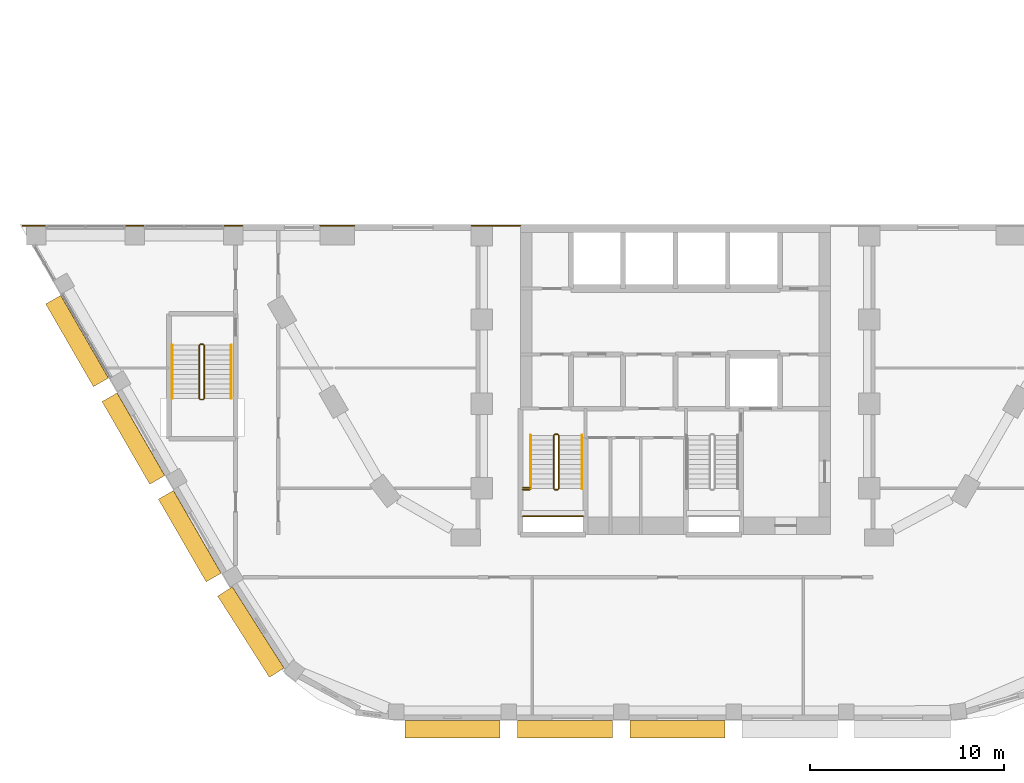
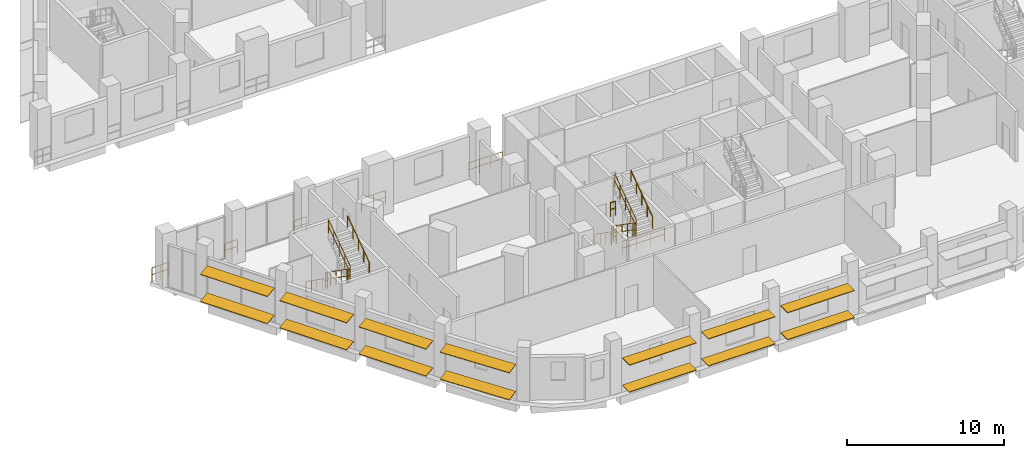
# One storey, part 18 of 22: 20 railings, 14 shading devices.
"""IFC4 building model written with IfcOpenShell, lengths in metres."""

from ifc_helpers import new_model, si_unit, direction, frame, origin, origin_2d, place, context, subcontext, project, spatial, rectangle, circle, extrude, material, material_profile, profile_set, type_object, element, save


model = new_model("IFC4")

# Units and contexts
model_context = context("Model", 3, precision=1e-05, world=origin(), true_north=direction((0.0, 1.0)))
body_context = subcontext(model_context, "Body", "Model", "MODEL_VIEW")
ifc_project = project(units=[si_unit("LENGTHUNIT", "METRE"), si_unit("AREAUNIT", "SQUARE_METRE"), si_unit("VOLUMEUNIT", "CUBIC_METRE"), si_unit("PLANEANGLEUNIT", "RADIAN"), si_unit("MASSUNIT", "GRAM", prefix="KILO")], contexts=[model_context])

# Site, building, storey
site_placement = place(None, origin())
site = spatial("IfcSite", under=ifc_project, at=site_placement, CompositionType="ELEMENT")
building_placement = place(site_placement, origin())
building = spatial("IfcBuilding", under=site, at=building_placement, Name="Nakaniwa Court", CompositionType="ELEMENT")
storey_placement = place(building_placement, frame((0.0, 0.0, 24.0)))
storey = spatial("IfcBuildingStorey", under=building, at=storey_placement, Name="L05", CompositionType="ELEMENT", Elevation=24.0)

# Shading devices
ifc_material_1 = material(Name="Perforated charcoal ceramic louvre blade")
ifc_material_profile = material_profile(ifc_material_1, rectangle(XDim=0.89990234375, YDim=0.050048828125, at=origin_2d()), Name="Perforated ceramic louvre blade")
ifc_profile_set = profile_set([ifc_material_profile], Name="Perforated charcoal ceramic louvre blade")
shading_device_type = type_object("IfcShadingDeviceType", Name="Perforated ceramic louvre blade", PredefinedType="JALOUSIE", material=ifc_profile_set)
for number, where, z_axis, x_axis, name in (
    (1, (47.884765625, 68.726318359375, 0.550048828125), (0.499988503985, -0.86603204091, 0.0), (0.858623016745, 0.495711033022, 0.13052619222), "L05 perforated ceramic louvre blade w13 1"),
    (2, (47.884765625, 68.726318359375, 2.64990234375), (0.499988503985, -0.86603204091, 0.0), (0.858623016745, 0.495711033022, 0.13052619222), "L05 perforated ceramic louvre blade w13 2"),
    (3, (50.793212890625, 63.68896484375, 0.550048828125), (0.499988503985, -0.86603204091, 0.0), (0.858623016745, 0.495711033022, 0.13052619222), "L05 perforated ceramic louvre blade w14 1"),
    (4, (50.793212890625, 63.68896484375, 2.64990234375), (0.499988503985, -0.86603204091, 0.0), (0.858623016745, 0.495711033022, 0.13052619222), "L05 perforated ceramic louvre blade w14 2"),
    (5, (53.701416015625, 58.651611328125, 0.550048828125), (0.499988503985, -0.86603204091, 0.0), (0.858623016745, 0.495711033022, 0.13052619222), "L05 perforated ceramic louvre blade w15 1"),
    (6, (53.701416015625, 58.651611328125, 2.64990234375), (0.499988503985, -0.86603204091, 0.0), (0.858623016745, 0.495711033022, 0.13052619222), "L05 perforated ceramic louvre blade w15 2"),
):
    element("IfcShadingDevice", number, at=place(storey_placement, frame(where, z_axis=z_axis, x_axis=x_axis)), inside=storey, type_object=shading_device_type, Name=name, PredefinedType="JALOUSIE", context=body_context, shape_type="SweptSolid", body=[
        extrude(rectangle(XDim=0.89990234375, YDim=0.050048828125, at=origin_2d()), origin(), (0.0, 0.0, 1.0), 4.9248046875),
    ])
for number, where, z_axis, x_axis, name in (
    (7, (56.75048828125, 53.664794921875, 0.550048828125), (0.537237750098, -0.843430850675, 0.0), (0.837322169417, 0.533346720771, 0.120136838835), "L05 perforated ceramic louvre blade w16 1"),
    (8, (56.75048828125, 53.664794921875, 2.64990234375), (0.537237750098, -0.843430850675, 0.0), (0.837322169417, 0.533346720771, 0.120136838835), "L05 perforated ceramic louvre blade w16 2"),
):
    element("IfcShadingDevice", number, at=place(storey_placement, frame(where, z_axis=z_axis, x_axis=x_axis)), inside=storey, type_object=shading_device_type, Name=name, PredefinedType="JALOUSIE", context=body_context, shape_type="SweptSolid", body=[
        extrude(rectangle(XDim=0.89990234375, YDim=0.050048828125, at=origin_2d()), origin(), (0.0, 0.0, 1.0), 4.970703125),
    ])
for number, where, z_axis, x_axis, name in (
    (9, (66.041748046875, 46.550048828125, 0.550048828125), (1.0, 0.0, 0.0), (0.0, 1.0, 0.0), "L05 perforated ceramic louvre blade w19 1"),
    (10, (66.041748046875, 46.550048828125, 2.64990234375), (1.0, 0.0, 0.0), (0.0, 1.0, 0.0), "L05 perforated ceramic louvre blade w19 2"),
):
    element("IfcShadingDevice", number, at=place(storey_placement, frame(where, z_axis=z_axis, x_axis=x_axis)), inside=storey, type_object=shading_device_type, Name=name, PredefinedType="JALOUSIE", context=body_context, shape_type="SweptSolid", body=[
        extrude(rectangle(XDim=0.89990234375, YDim=0.050048828125, at=origin_2d()), origin(), (0.0, 0.0, 1.0), 4.91015625),
    ])
for number, where, z_axis, x_axis, name in (
    (11, (71.843994140625, 46.550048828125, 0.550048828125), (1.0, 0.0, 0.0), (0.0, 1.0, 0.0), "L05 perforated ceramic louvre blade w20 1"),
    (12, (71.843994140625, 46.550048828125, 2.64990234375), (1.0, 0.0, 0.0), (0.0, 1.0, 0.0), "L05 perforated ceramic louvre blade w20 2"),
):
    element("IfcShadingDevice", number, at=place(storey_placement, frame(where, z_axis=z_axis, x_axis=x_axis)), inside=storey, type_object=shading_device_type, Name=name, PredefinedType="JALOUSIE", context=body_context, shape_type="SweptSolid", body=[
        extrude(rectangle(XDim=0.89990234375, YDim=0.050048828125, at=origin_2d()), origin(), (0.0, 0.0, 1.0), 4.910400390625),
    ])
for number, where, z_axis, x_axis, name in (
    (13, (77.646240234375, 46.550048828125, 0.550048828125), (1.0, 0.0, 0.0), (0.0, 1.0, 0.0), "L05 perforated ceramic louvre blade w21 1"),
    (14, (77.646240234375, 46.550048828125, 2.64990234375), (1.0, 0.0, 0.0), (0.0, 1.0, 0.0), "L05 perforated ceramic louvre blade w21 2"),
):
    element("IfcShadingDevice", number, at=place(storey_placement, frame(where, z_axis=z_axis, x_axis=x_axis)), inside=storey, type_object=shading_device_type, Name=name, PredefinedType="JALOUSIE", context=body_context, shape_type="SweptSolid", body=[
        extrude(rectangle(XDim=0.89990234375, YDim=0.050048828125, at=origin_2d()), origin(), (0.0, 0.0, 1.0), 4.91015625),
    ])

# Railings
ifc_material_2 = material(Name="Black powder coated steel guard", Category="steel")
railing_type_1 = type_object("IfcRailingType", Name="Stair guard 1100", PredefinedType="GUARDRAIL", material=ifc_material_2)
railing_1_placement = place(storey_placement, frame((73.72509765625, 61.72509765625, 0.175048828125)))
element("IfcRailing", 15, at=railing_1_placement, inside=storey, type_object=railing_type_1, Name="L05 ST3 stair guard 1", PredefinedType="GUARDRAIL", context=body_context, shape_type="SweptSolid", body=[
    extrude(circle(Radius=0.02392578125, at=origin_2d()), frame((0.0, 0.0, 1.076171875), z_axis=(0.0, -0.819225086817, 0.573472106672), x_axis=(1.0, 0.0, 0.0)), (0.0, 0.0, 1.0), 3.35693359375),
    extrude(circle(Radius=0.02392578125, at=origin_2d()), frame((0.0, 0.0, 0.550048828125), z_axis=(0.0, -0.819225086817, 0.573472106672), x_axis=(1.0, 0.0, 0.0)), (0.0, 0.0, 1.0), 3.35693359375),
    extrude(circle(Radius=0.02099609375, at=origin_2d()), origin(), (0.0, 0.0, 1.0), 1.052001953125),
    extrude(circle(Radius=0.02099609375, at=origin_2d()), frame((0.0, -0.6875, 0.481201171875)), (0.0, 0.0, 1.0), 1.052001953125),
    extrude(circle(Radius=0.02099609375, at=origin_2d()), frame((0.0, -1.375, 0.96240234375)), (0.0, 0.0, 1.0), 1.052001953125),
    extrude(circle(Radius=0.02099609375, at=origin_2d()), frame((0.0, -2.0625, 1.44384765625)), (0.0, 0.0, 1.0), 1.052001953125),
    extrude(circle(Radius=0.02099609375, at=origin_2d()), frame((0.0, -2.75, 1.925048828125)), (0.0, 0.0, 1.0), 1.052001953125),
])
railing_2_placement = place(storey_placement, frame((73.77490234375, 58.925048828125, 2.10009765625)))
element("IfcRailing", 16, at=railing_2_placement, inside=storey, type_object=railing_type_1, Name="L05 ST3 stair guard 2", PredefinedType="GUARDRAIL", context=body_context, shape_type="SweptSolid", body=[
    extrude(circle(Radius=0.02392578125, at=origin_2d()), frame((0.0, 0.0, 1.076171875), z_axis=(1.0, 0.0, 0.0), x_axis=(0.0, 1.0, 0.0)), (0.0, 0.0, 1.0), 0.150146484375),
    extrude(circle(Radius=0.02392578125, at=origin_2d()), frame((0.0, 0.0, 0.550048828125), z_axis=(1.0, 0.0, 0.0), x_axis=(0.0, 1.0, 0.0)), (0.0, 0.0, 1.0), 0.150146484375),
    extrude(circle(Radius=0.02099609375, at=origin_2d()), origin(), (0.0, 0.0, 1.0), 1.052001953125),
    extrude(circle(Radius=0.02099609375, at=origin_2d()), frame((0.150146484375, 0.0, 0.0)), (0.0, 0.0, 1.0), 1.052001953125),
])
railing_3_placement = place(storey_placement, frame((73.97509765625, 58.97509765625, 2.27490234375)))
element("IfcRailing", 17, at=railing_3_placement, inside=storey, type_object=railing_type_1, Name="L05 ST3 stair guard 3", PredefinedType="GUARDRAIL", context=body_context, shape_type="SweptSolid", body=[
    extrude(circle(Radius=0.02392578125, at=origin_2d()), frame((0.0, 0.0, 1.076171875), z_axis=(0.0, 0.819225086817, 0.573472106672), x_axis=(-1.0, 0.0, 0.0)), (0.0, 0.0, 1.0), 3.35693359375),
    extrude(circle(Radius=0.02392578125, at=origin_2d()), frame((0.0, 0.0, 0.550048828125), z_axis=(0.0, 0.819225086817, 0.573472106672), x_axis=(-1.0, 0.0, 0.0)), (0.0, 0.0, 1.0), 3.35693359375),
    extrude(circle(Radius=0.02099609375, at=origin_2d()), origin(), (0.0, 0.0, 1.0), 1.052001953125),
    extrude(circle(Radius=0.02099609375, at=origin_2d()), frame((0.0, 0.6875, 0.481201171875)), (0.0, 0.0, 1.0), 1.052001953125),
    extrude(circle(Radius=0.02099609375, at=origin_2d()), frame((0.0, 1.375, 0.96240234375)), (0.0, 0.0, 1.0), 1.052001953125),
    extrude(circle(Radius=0.02099609375, at=origin_2d()), frame((0.0, 2.0625, 1.44384765625)), (0.0, 0.0, 1.0), 1.052001953125),
    extrude(circle(Radius=0.02099609375, at=origin_2d()), frame((0.0, 2.75, 1.925048828125)), (0.0, 0.0, 1.0), 1.052001953125),
])
railing_4_placement = place(storey_placement, frame((73.77490234375, 61.77490234375, 0.0)))
element("IfcRailing", 18, at=railing_4_placement, inside=storey, type_object=railing_type_1, Name="L05 ST3 stair guard 4", PredefinedType="GUARDRAIL", context=body_context, shape_type="SweptSolid", body=[
    extrude(circle(Radius=0.02392578125, at=origin_2d()), frame((0.0, 0.0, 1.076171875), z_axis=(1.0, 0.0, 0.0), x_axis=(0.0, 1.0, 0.0)), (0.0, 0.0, 1.0), 0.150146484375),
    extrude(circle(Radius=0.02392578125, at=origin_2d()), frame((0.0, 0.0, 0.550048828125), z_axis=(1.0, 0.0, 0.0), x_axis=(0.0, 1.0, 0.0)), (0.0, 0.0, 1.0), 0.150146484375),
    extrude(circle(Radius=0.02099609375, at=origin_2d()), origin(), (0.0, 0.0, 1.0), 1.052001953125),
    extrude(circle(Radius=0.02099609375, at=origin_2d()), frame((0.150146484375, 0.0, 0.0)), (0.0, 0.0, 1.0), 1.052001953125),
])
railing_5_placement = place(storey_placement, frame((72.125, 57.550048828125, 2.10009765625)))
element("IfcRailing", 19, at=railing_5_placement, inside=storey, type_object=railing_type_1, Name="L05 ST3 landing end guard 1", PredefinedType="GUARDRAIL", context=body_context, shape_type="SweptSolid", body=[
    extrude(circle(Radius=0.02392578125, at=origin_2d()), frame((0.0, 0.0, 1.076171875), z_axis=(1.0, 0.0, 0.0), x_axis=(0.0, 1.0, 0.0)), (0.0, 0.0, 1.0), 3.10009765625),
    extrude(circle(Radius=0.02392578125, at=origin_2d()), frame((0.0, 0.0, 0.550048828125), z_axis=(1.0, 0.0, 0.0), x_axis=(0.0, 1.0, 0.0)), (0.0, 0.0, 1.0), 3.10009765625),
    extrude(circle(Radius=0.02099609375, at=origin_2d()), origin(), (0.0, 0.0, 1.0), 1.052001953125),
    extrude(circle(Radius=0.02099609375, at=origin_2d()), frame((1.033447265625, 0.0, 0.0)), (0.0, 0.0, 1.0), 1.052001953125),
    extrude(circle(Radius=0.02099609375, at=origin_2d()), frame((2.066650390625, 0.0, 0.0)), (0.0, 0.0, 1.0), 1.052001953125),
    extrude(circle(Radius=0.02099609375, at=origin_2d()), frame((3.10009765625, 0.0, 0.0)), (0.0, 0.0, 1.0), 1.052001953125),
])
for number, where, name in (
    (20, (72.125, 58.925048828125, 2.10009765625), "L05 ST3 landing side guard 1W"),
    (21, (72.125, 59.02490234375, 4.199951171875), "L05 ST3 floor edge guard 1W"),
):
    element("IfcRailing", number, at=place(storey_placement, frame(where)), inside=storey, type_object=railing_type_1, Name=name, PredefinedType="GUARDRAIL", context=body_context, shape_type="SweptSolid", body=[
        extrude(circle(Radius=0.02392578125, at=origin_2d()), frame((0.0, 0.0, 1.076171875), z_axis=(1.0, 0.0, 0.0), x_axis=(0.0, 1.0, 0.0)), (0.0, 0.0, 1.0), 0.35009765625),
        extrude(circle(Radius=0.02392578125, at=origin_2d()), frame((0.0, 0.0, 0.550048828125), z_axis=(1.0, 0.0, 0.0), x_axis=(0.0, 1.0, 0.0)), (0.0, 0.0, 1.0), 0.35009765625),
        extrude(circle(Radius=0.02099609375, at=origin_2d()), origin(), (0.0, 0.0, 1.0), 1.052001953125),
        extrude(circle(Radius=0.02099609375, at=origin_2d()), frame((0.35009765625, 0.0, 0.0)), (0.0, 0.0, 1.0), 1.052001953125),
    ])
railing_6_placement = place(storey_placement, frame((55.425048828125, 66.375, 0.175048828125)))
element("IfcRailing", 22, at=railing_6_placement, inside=storey, type_object=railing_type_1, Name="L05 SS4 stair guard 1", PredefinedType="GUARDRAIL", context=body_context, shape_type="SweptSolid", body=[
    extrude(circle(Radius=0.02392578125, at=origin_2d()), frame((0.0, 0.0, 1.076171875), z_axis=(0.0, -0.819225086817, 0.573472106672), x_axis=(1.0, 0.0, 0.0)), (0.0, 0.0, 1.0), 3.35693359375),
    extrude(circle(Radius=0.02392578125, at=origin_2d()), frame((0.0, 0.0, 0.550048828125), z_axis=(0.0, -0.819225086817, 0.573472106672), x_axis=(1.0, 0.0, 0.0)), (0.0, 0.0, 1.0), 3.35693359375),
    extrude(circle(Radius=0.02099609375, at=origin_2d()), origin(), (0.0, 0.0, 1.0), 1.052001953125),
    extrude(circle(Radius=0.02099609375, at=origin_2d()), frame((0.0, -0.6875, 0.481201171875)), (0.0, 0.0, 1.0), 1.052001953125),
    extrude(circle(Radius=0.02099609375, at=origin_2d()), frame((0.0, -1.375, 0.96240234375)), (0.0, 0.0, 1.0), 1.052001953125),
    extrude(circle(Radius=0.02099609375, at=origin_2d()), frame((0.0, -2.0625, 1.44384765625)), (0.0, 0.0, 1.0), 1.052001953125),
    extrude(circle(Radius=0.02099609375, at=origin_2d()), frame((0.0, -2.75, 1.925048828125)), (0.0, 0.0, 1.0), 1.052001953125),
])
railing_7_placement = place(storey_placement, frame((55.47509765625, 63.574951171875, 2.10009765625)))
element("IfcRailing", 23, at=railing_7_placement, inside=storey, type_object=railing_type_1, Name="L05 SS4 stair guard 2", PredefinedType="GUARDRAIL", context=body_context, shape_type="SweptSolid", body=[
    extrude(circle(Radius=0.02392578125, at=origin_2d()), frame((0.0, 0.0, 1.076171875), z_axis=(1.0, 0.0, 0.0), x_axis=(0.0, 1.0, 0.0)), (0.0, 0.0, 1.0), 0.14990234375),
    extrude(circle(Radius=0.02392578125, at=origin_2d()), frame((0.0, 0.0, 0.550048828125), z_axis=(1.0, 0.0, 0.0), x_axis=(0.0, 1.0, 0.0)), (0.0, 0.0, 1.0), 0.14990234375),
    extrude(circle(Radius=0.02099609375, at=origin_2d()), origin(), (0.0, 0.0, 1.0), 1.052001953125),
    extrude(circle(Radius=0.02099609375, at=origin_2d()), frame((0.14990234375, 0.0, 0.0)), (0.0, 0.0, 1.0), 1.052001953125),
])
railing_8_placement = place(storey_placement, frame((55.675048828125, 63.625, 2.27490234375)))
element("IfcRailing", 24, at=railing_8_placement, inside=storey, type_object=railing_type_1, Name="L05 SS4 stair guard 3", PredefinedType="GUARDRAIL", context=body_context, shape_type="SweptSolid", body=[
    extrude(circle(Radius=0.02392578125, at=origin_2d()), frame((0.0, 0.0, 1.076171875), z_axis=(0.0, 0.819225086817, 0.573472106672), x_axis=(-1.0, 0.0, 0.0)), (0.0, 0.0, 1.0), 3.35693359375),
    extrude(circle(Radius=0.02392578125, at=origin_2d()), frame((0.0, 0.0, 0.550048828125), z_axis=(0.0, 0.819225086817, 0.573472106672), x_axis=(-1.0, 0.0, 0.0)), (0.0, 0.0, 1.0), 3.35693359375),
    extrude(circle(Radius=0.02099609375, at=origin_2d()), origin(), (0.0, 0.0, 1.0), 1.052001953125),
    extrude(circle(Radius=0.02099609375, at=origin_2d()), frame((0.0, 0.6875, 0.481201171875)), (0.0, 0.0, 1.0), 1.052001953125),
    extrude(circle(Radius=0.02099609375, at=origin_2d()), frame((0.0, 1.375, 0.96240234375)), (0.0, 0.0, 1.0), 1.052001953125),
    extrude(circle(Radius=0.02099609375, at=origin_2d()), frame((0.0, 2.0625, 1.44384765625)), (0.0, 0.0, 1.0), 1.052001953125),
    extrude(circle(Radius=0.02099609375, at=origin_2d()), frame((0.0, 2.75, 1.925048828125)), (0.0, 0.0, 1.0), 1.052001953125),
])
railing_9_placement = place(storey_placement, frame((55.47509765625, 66.425048828125, 0.0)))
element("IfcRailing", 25, at=railing_9_placement, inside=storey, type_object=railing_type_1, Name="L05 SS4 stair guard 4", PredefinedType="GUARDRAIL", context=body_context, shape_type="SweptSolid", body=[
    extrude(circle(Radius=0.02392578125, at=origin_2d()), frame((0.0, 0.0, 1.076171875), z_axis=(1.0, 0.0, 0.0), x_axis=(0.0, 1.0, 0.0)), (0.0, 0.0, 1.0), 0.14990234375),
    extrude(circle(Radius=0.02392578125, at=origin_2d()), frame((0.0, 0.0, 0.550048828125), z_axis=(1.0, 0.0, 0.0), x_axis=(0.0, 1.0, 0.0)), (0.0, 0.0, 1.0), 0.14990234375),
    extrude(circle(Radius=0.02099609375, at=origin_2d()), origin(), (0.0, 0.0, 1.0), 1.052001953125),
    extrude(circle(Radius=0.02099609375, at=origin_2d()), frame((0.14990234375, 0.0, 0.0)), (0.0, 0.0, 1.0), 1.052001953125),
])
railing_10_placement = place(storey_placement, frame((46.297119140625, 72.550048828125, 0.0)))
element("IfcRailing", 26, at=railing_10_placement, inside=storey, type_object=railing_type_1, Name="GUARD GD-L05-081", PredefinedType="GUARDRAIL", context=body_context, shape_type="SweptSolid", body=[
    extrude(circle(Radius=0.02392578125, at=origin_2d()), frame((0.0, 0.0, 1.076171875), z_axis=(1.0, 0.0, 0.0), x_axis=(0.0, 1.0, 0.0)), (0.0, 0.0, 1.0), 1.18896484375),
    extrude(circle(Radius=0.02392578125, at=origin_2d()), frame((0.0, 0.0, 0.550048828125), z_axis=(1.0, 0.0, 0.0), x_axis=(0.0, 1.0, 0.0)), (0.0, 0.0, 1.0), 1.18896484375),
    extrude(circle(Radius=0.02099609375, at=origin_2d()), origin(), (0.0, 0.0, 1.0), 1.052001953125),
    extrude(circle(Radius=0.02099609375, at=origin_2d()), frame((0.594482421875, 0.0, 0.0)), (0.0, 0.0, 1.0), 1.052001953125),
    extrude(circle(Radius=0.02099609375, at=origin_2d()), frame((1.18896484375, 0.0, 0.0)), (0.0, 0.0, 1.0), 1.052001953125),
])
railing_11_placement = place(storey_placement, frame((51.610107421875, 72.550048828125, 0.0)))
element("IfcRailing", 27, at=railing_11_placement, inside=storey, type_object=railing_type_1, Name="GUARD GD-L05-082", PredefinedType="GUARDRAIL", context=body_context, shape_type="SweptSolid", body=[
    extrude(circle(Radius=0.02392578125, at=origin_2d()), frame((0.0, 0.0, 1.076171875), z_axis=(1.0, 0.0, 0.0), x_axis=(0.0, 1.0, 0.0)), (0.0, 0.0, 1.0), 0.95947265625),
    extrude(circle(Radius=0.02392578125, at=origin_2d()), frame((0.0, 0.0, 0.550048828125), z_axis=(1.0, 0.0, 0.0), x_axis=(0.0, 1.0, 0.0)), (0.0, 0.0, 1.0), 0.95947265625),
    extrude(circle(Radius=0.02099609375, at=origin_2d()), origin(), (0.0, 0.0, 1.0), 1.052001953125),
    extrude(circle(Radius=0.02099609375, at=origin_2d()), frame((0.95947265625, 0.0, 0.0)), (0.0, 0.0, 1.0), 1.052001953125),
])
railing_12_placement = place(storey_placement, frame((56.703857421875, 72.550048828125, 0.0)))
element("IfcRailing", 28, at=railing_12_placement, inside=storey, type_object=railing_type_1, Name="GUARD GD-L05-083", PredefinedType="GUARDRAIL", context=body_context, shape_type="SweptSolid", body=[
    extrude(circle(Radius=0.02392578125, at=origin_2d()), frame((0.0, 0.0, 1.076171875), z_axis=(1.0, 0.0, 0.0), x_axis=(0.0, 1.0, 0.0)), (0.0, 0.0, 1.0), 0.939453125),
    extrude(circle(Radius=0.02392578125, at=origin_2d()), frame((0.0, 0.0, 0.550048828125), z_axis=(1.0, 0.0, 0.0), x_axis=(0.0, 1.0, 0.0)), (0.0, 0.0, 1.0), 0.939453125),
    extrude(circle(Radius=0.02099609375, at=origin_2d()), origin(), (0.0, 0.0, 1.0), 1.052001953125),
    extrude(circle(Radius=0.02099609375, at=origin_2d()), frame((0.939453125, 0.0, 0.0)), (0.0, 0.0, 1.0), 1.052001953125),
])
railing_13_placement = place(storey_placement, frame((61.65771484375, 72.550048828125, 0.0)))
element("IfcRailing", 29, at=railing_13_placement, inside=storey, type_object=railing_type_1, Name="GUARD GD-L05-084", PredefinedType="GUARDRAIL", context=body_context, shape_type="SweptSolid", body=[
    extrude(circle(Radius=0.02392578125, at=origin_2d()), frame((0.0, 0.0, 1.076171875), z_axis=(1.0, 0.0, 0.0), x_axis=(0.0, 1.0, 0.0)), (0.0, 0.0, 1.0), 1.768310546875),
    extrude(circle(Radius=0.02392578125, at=origin_2d()), frame((0.0, 0.0, 0.550048828125), z_axis=(1.0, 0.0, 0.0), x_axis=(0.0, 1.0, 0.0)), (0.0, 0.0, 1.0), 1.768310546875),
    extrude(circle(Radius=0.02099609375, at=origin_2d()), origin(), (0.0, 0.0, 1.0), 1.052001953125),
    extrude(circle(Radius=0.02099609375, at=origin_2d()), frame((0.88427734375, 0.0, 0.0)), (0.0, 0.0, 1.0), 1.052001953125),
    extrude(circle(Radius=0.02099609375, at=origin_2d()), frame((1.768310546875, 0.0, 0.0)), (0.0, 0.0, 1.0), 1.052001953125),
])
railing_14_placement = place(storey_placement, frame((69.47802734375, 72.550048828125, 0.0)))
element("IfcRailing", 30, at=railing_14_placement, inside=storey, type_object=railing_type_1, Name="GUARD GD-L05-085", PredefinedType="GUARDRAIL", context=body_context, shape_type="SweptSolid", body=[
    extrude(circle(Radius=0.02392578125, at=origin_2d()), frame((0.0, 0.0, 1.076171875), z_axis=(1.0, 0.0, 0.0), x_axis=(0.0, 1.0, 0.0)), (0.0, 0.0, 1.0), 2.507080078125),
    extrude(circle(Radius=0.02392578125, at=origin_2d()), frame((0.0, 0.0, 0.550048828125), z_axis=(1.0, 0.0, 0.0), x_axis=(0.0, 1.0, 0.0)), (0.0, 0.0, 1.0), 2.507080078125),
    extrude(circle(Radius=0.02099609375, at=origin_2d()), origin(), (0.0, 0.0, 1.0), 1.052001953125),
    extrude(circle(Radius=0.02099609375, at=origin_2d()), frame((0.835693359375, 0.0, 0.0)), (0.0, 0.0, 1.0), 1.052001953125),
    extrude(circle(Radius=0.02099609375, at=origin_2d()), frame((1.67138671875, 0.0, 0.0)), (0.0, 0.0, 1.0), 1.052001953125),
    extrude(circle(Radius=0.02099609375, at=origin_2d()), frame((2.507080078125, 0.0, 0.0)), (0.0, 0.0, 1.0), 1.052001953125),
])
ifc_material_3 = material(Name="Black powder coated steel handrail", Category="steel")
railing_type_2 = type_object("IfcRailingType", Name="Stair handrail 900", PredefinedType="HANDRAIL", material=ifc_material_3)
railing_15_placement = place(storey_placement, frame((72.52490234375, 61.72509765625, 0.175048828125)))
element("IfcRailing", 31, at=railing_15_placement, inside=storey, type_object=railing_type_2, Name="L05 ST3 stair handrail 1", PredefinedType="HANDRAIL", context=body_context, shape_type="SweptSolid", body=[
    extrude(circle(Radius=0.02392578125, at=origin_2d()), frame((0.0, 0.0, 0.8759765625), z_axis=(0.0, -0.819225086817, 0.573472106672), x_axis=(1.0, 0.0, 0.0)), (0.0, 0.0, 1.0), 3.35693359375),
    extrude(circle(Radius=0.02099609375, at=origin_2d()), origin(), (0.0, 0.0, 1.0), 0.851806640625),
    extrude(circle(Radius=0.02099609375, at=origin_2d()), frame((0.0, -0.6875, 0.481201171875)), (0.0, 0.0, 1.0), 0.851806640625),
    extrude(circle(Radius=0.02099609375, at=origin_2d()), frame((0.0, -1.375, 0.96240234375)), (0.0, 0.0, 1.0), 0.851806640625),
    extrude(circle(Radius=0.02099609375, at=origin_2d()), frame((0.0, -2.0625, 1.44384765625)), (0.0, 0.0, 1.0), 0.851806640625),
    extrude(circle(Radius=0.02099609375, at=origin_2d()), frame((0.0, -2.75, 1.925048828125)), (0.0, 0.0, 1.0), 0.851806640625),
])
railing_16_placement = place(storey_placement, frame((75.175048828125, 58.97509765625, 2.27490234375)))
element("IfcRailing", 32, at=railing_16_placement, inside=storey, type_object=railing_type_2, Name="L05 ST3 stair handrail 2", PredefinedType="HANDRAIL", context=body_context, shape_type="SweptSolid", body=[
    extrude(circle(Radius=0.02392578125, at=origin_2d()), frame((0.0, 0.0, 0.8759765625), z_axis=(0.0, 0.819225086817, 0.573472106672), x_axis=(-1.0, 0.0, 0.0)), (0.0, 0.0, 1.0), 3.35693359375),
    extrude(circle(Radius=0.02099609375, at=origin_2d()), origin(), (0.0, 0.0, 1.0), 0.851806640625),
    extrude(circle(Radius=0.02099609375, at=origin_2d()), frame((0.0, 0.6875, 0.481201171875)), (0.0, 0.0, 1.0), 0.851806640625),
    extrude(circle(Radius=0.02099609375, at=origin_2d()), frame((0.0, 1.375, 0.96240234375)), (0.0, 0.0, 1.0), 0.851806640625),
    extrude(circle(Radius=0.02099609375, at=origin_2d()), frame((0.0, 2.0625, 1.44384765625)), (0.0, 0.0, 1.0), 0.851806640625),
    extrude(circle(Radius=0.02099609375, at=origin_2d()), frame((0.0, 2.75, 1.925048828125)), (0.0, 0.0, 1.0), 0.851806640625),
])
railing_17_placement = place(storey_placement, frame((54.02490234375, 66.375, 0.175048828125)))
element("IfcRailing", 33, at=railing_17_placement, inside=storey, type_object=railing_type_2, Name="L05 SS4 stair handrail 1", PredefinedType="HANDRAIL", context=body_context, shape_type="SweptSolid", body=[
    extrude(circle(Radius=0.02392578125, at=origin_2d()), frame((0.0, 0.0, 0.8759765625), z_axis=(0.0, -0.819225086817, 0.573472106672), x_axis=(1.0, 0.0, 0.0)), (0.0, 0.0, 1.0), 3.35693359375),
    extrude(circle(Radius=0.02099609375, at=origin_2d()), origin(), (0.0, 0.0, 1.0), 0.851806640625),
    extrude(circle(Radius=0.02099609375, at=origin_2d()), frame((0.0, -0.6875, 0.481201171875)), (0.0, 0.0, 1.0), 0.851806640625),
    extrude(circle(Radius=0.02099609375, at=origin_2d()), frame((0.0, -1.375, 0.96240234375)), (0.0, 0.0, 1.0), 0.851806640625),
    extrude(circle(Radius=0.02099609375, at=origin_2d()), frame((0.0, -2.0625, 1.44384765625)), (0.0, 0.0, 1.0), 0.851806640625),
    extrude(circle(Radius=0.02099609375, at=origin_2d()), frame((0.0, -2.75, 1.925048828125)), (0.0, 0.0, 1.0), 0.851806640625),
])
railing_18_placement = place(storey_placement, frame((57.074951171875, 63.625, 2.27490234375)))
element("IfcRailing", 34, at=railing_18_placement, inside=storey, type_object=railing_type_2, Name="L05 SS4 stair handrail 2", PredefinedType="HANDRAIL", context=body_context, shape_type="SweptSolid", body=[
    extrude(circle(Radius=0.02392578125, at=origin_2d()), frame((0.0, 0.0, 0.8759765625), z_axis=(0.0, 0.819225086817, 0.573472106672), x_axis=(-1.0, 0.0, 0.0)), (0.0, 0.0, 1.0), 3.35693359375),
    extrude(circle(Radius=0.02099609375, at=origin_2d()), origin(), (0.0, 0.0, 1.0), 0.851806640625),
    extrude(circle(Radius=0.02099609375, at=origin_2d()), frame((0.0, 0.6875, 0.481201171875)), (0.0, 0.0, 1.0), 0.851806640625),
    extrude(circle(Radius=0.02099609375, at=origin_2d()), frame((0.0, 1.375, 0.96240234375)), (0.0, 0.0, 1.0), 0.851806640625),
    extrude(circle(Radius=0.02099609375, at=origin_2d()), frame((0.0, 2.0625, 1.44384765625)), (0.0, 0.0, 1.0), 0.851806640625),
    extrude(circle(Radius=0.02099609375, at=origin_2d()), frame((0.0, 2.75, 1.925048828125)), (0.0, 0.0, 1.0), 0.851806640625),
])

save(model, "model.ifc")
